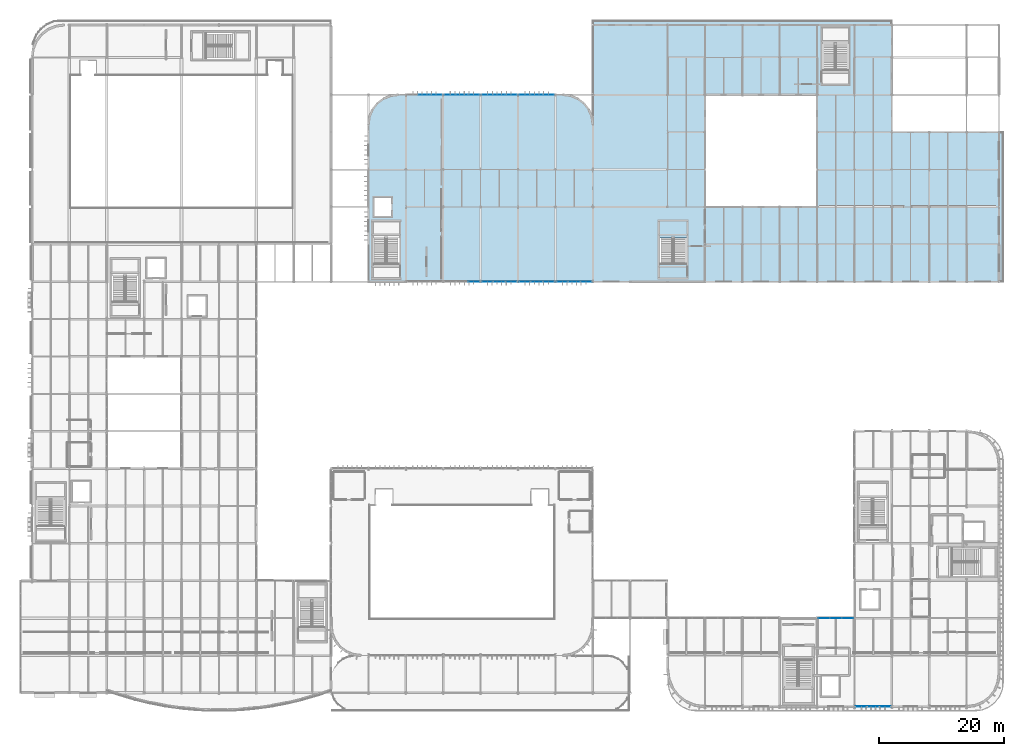
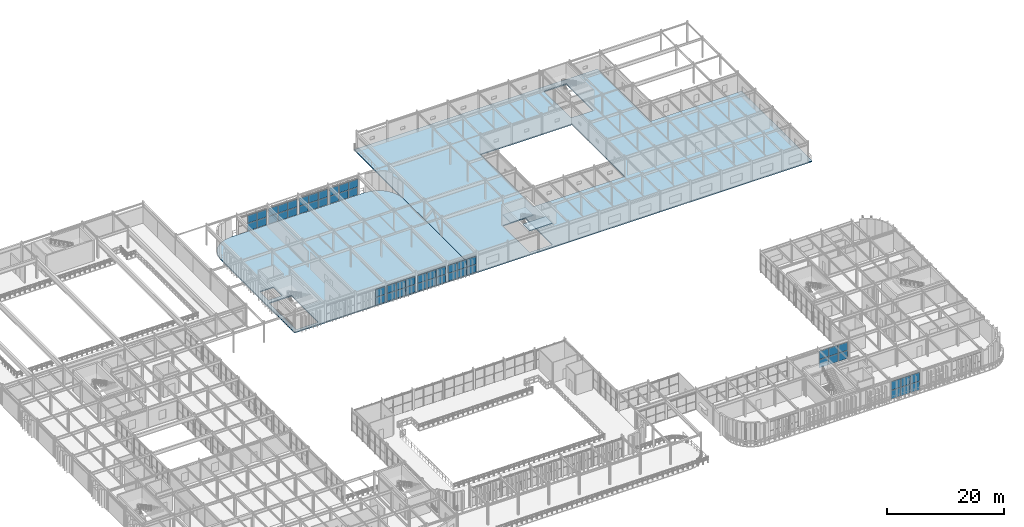
# One storey, part 60 of 96: 54 plates, 4 slabs, 11 elements without a shape of their own.
"""IFC4 building model written with IfcOpenShell, lengths in metres."""

from ifc_helpers import new_model, si_unit, direction, frame, origin, origin_2d, place, context, subcontext, project, spatial, polyline, rectangle, outline, extrude, material, layer, layer_set, type_object, element, aggregate, save


model = new_model("IFC4")

# Units and contexts
model_context = context("Model", 3, precision=1e-05, world=origin(), true_north=direction((0.0, 1.0)))
body_context = subcontext(model_context, "Body", "Model", "MODEL_VIEW")
ifc_project = project(units=[si_unit("LENGTHUNIT", "METRE"), si_unit("AREAUNIT", "SQUARE_METRE"), si_unit("VOLUMEUNIT", "CUBIC_METRE"), si_unit("PLANEANGLEUNIT", "RADIAN"), si_unit("MASSUNIT", "GRAM", prefix="KILO")], contexts=[model_context])

# Site, building, storey
site_placement = place(None, origin())
site = spatial("IfcSite", under=ifc_project, at=site_placement, CompositionType="ELEMENT")
building_placement = place(site_placement, origin())
building = spatial("IfcBuilding", under=site, at=building_placement, Name="Varnakota Square Police Headquarters", CompositionType="ELEMENT")
storey_placement = place(building_placement, frame((0.0, 0.0, 4.800048828125)))
storey = spatial("IfcBuildingStorey", under=building, at=storey_placement, Name="L01", CompositionType="ELEMENT", Elevation=4.800048828125)

# Curtain wall, plates
ifc_material_1 = material(Name="Anodised Aluminium Framing", Category="aluminium")
curtain_wall_type_1 = type_object("IfcCurtainWallType", Name="CW-SYS-B", PredefinedType="NOTDEFINED", material=ifc_material_1)
curtain_wall_1_placement = place(storey_placement, origin())
curtain_wall_1 = element("IfcCurtainWall", 1, at=curtain_wall_1_placement, inside=storey, type_object=curtain_wall_type_1, Name="Unitised curtain wall CWG-L01-231", PredefinedType="NOTDEFINED")
ifc_material_2 = material(Name="Solar-Control Laminated Double Glazing", Category="glass")
ifc_layer_1 = layer(ifc_material_2, 0.028076171875, Name="Solar-Control Laminated Double Glazing")
ifc_layer_set_1 = layer_set([ifc_layer_1], Name="Solar-Control Laminated Double Glazing")
plate_type_1 = type_object("IfcPlateType", Name="CWP-GLZ-28", PredefinedType="CURTAIN_PANEL", material=ifc_layer_set_1)
plate_1_placement = place(storey_placement, frame((91.123779296875, 69.0, 0.06494140625), z_axis=(0.0, 0.0, 1.0), x_axis=(1.0, 0.0, 0.0)))
plate_1 = element("IfcPlate", 2, at=plate_1_placement, type_object=plate_type_1, Name="CWG-L01-231 panel 1.1", PredefinedType="CURTAIN_PANEL", context=body_context, shape_type="SweptSolid", body=[
    extrude(rectangle(XDim=1.8076171875, YDim=0.028076171875, at=origin_2d()), origin(), (0.0, 0.0, 1.0), 1.597412109375),
])
plate_2_placement = place(storey_placement, frame((93.012451171875, 69.0, 0.06494140625), z_axis=(0.0, 0.0, 1.0), x_axis=(1.0, 0.0, 0.0)))
plate_2 = element("IfcPlate", 3, at=plate_2_placement, type_object=plate_type_1, Name="CWG-L01-231 panel 2.1", PredefinedType="CURTAIN_PANEL", context=body_context, shape_type="SweptSolid", body=[
    extrude(rectangle(XDim=1.840087890625, YDim=0.028076171875, at=origin_2d()), origin(), (0.0, 0.0, 1.0), 1.597412109375),
])
plate_3_placement = place(storey_placement, frame((94.9013671875, 69.0, 0.06494140625), z_axis=(0.0, 0.0, 1.0), x_axis=(1.0, 0.0, 0.0)))
plate_3 = element("IfcPlate", 4, at=plate_3_placement, type_object=plate_type_1, Name="CWG-L01-231 panel 3.1", PredefinedType="CURTAIN_PANEL", context=body_context, shape_type="SweptSolid", body=[
    extrude(rectangle(XDim=1.8076171875, YDim=0.028076171875, at=origin_2d()), origin(), (0.0, 0.0, 1.0), 1.597412109375),
])

curtain_wall_type_2 = type_object("IfcCurtainWallType", Name="CW-SYS-C", PredefinedType="NOTDEFINED", material=ifc_material_1)
curtain_wall_2_placement = place(storey_placement, origin())
curtain_wall_2 = element("IfcCurtainWall", 5, at=curtain_wall_2_placement, inside=storey, type_object=curtain_wall_type_2, Name="Unitised curtain wall CWG-L01-235", PredefinedType="NOTDEFINED")
plate_4_placement = place(storey_placement, frame((85.0986328125, 99.0, 0.06494140625), z_axis=(0.0, 0.0, 1.0), x_axis=(1.0, 0.0, 0.0)))
plate_4 = element("IfcPlate", 6, at=plate_4_placement, type_object=plate_type_1, Name="CWG-L01-235 panel 1.1", PredefinedType="CURTAIN_PANEL", context=body_context, shape_type="SweptSolid", body=[
    extrude(rectangle(XDim=1.8076171875, YDim=0.028076171875, at=origin_2d()), origin(), (0.0, 0.0, 1.0), 1.597412109375),
])
plate_5_placement = place(storey_placement, frame((86.987548828125, 99.0, 0.06494140625), z_axis=(0.0, 0.0, 1.0), x_axis=(1.0, 0.0, 0.0)))
plate_5 = element("IfcPlate", 7, at=plate_5_placement, type_object=plate_type_1, Name="CWG-L01-235 panel 2.1", PredefinedType="CURTAIN_PANEL", context=body_context, shape_type="SweptSolid", body=[
    extrude(rectangle(XDim=1.840087890625, YDim=0.028076171875, at=origin_2d()), origin(), (0.0, 0.0, 1.0), 1.597412109375),
])
plate_6_placement = place(storey_placement, frame((88.876220703125, 99.0, 0.06494140625), z_axis=(0.0, 0.0, 1.0), x_axis=(1.0, 0.0, 0.0)))
plate_6 = element("IfcPlate", 8, at=plate_6_placement, type_object=plate_type_1, Name="CWG-L01-235 panel 3.1", PredefinedType="CURTAIN_PANEL", context=body_context, shape_type="SweptSolid", body=[
    extrude(rectangle(XDim=1.8076171875, YDim=0.028076171875, at=origin_2d()), origin(), (0.0, 0.0, 1.0), 1.597412109375),
])

curtain_wall_3_placement = place(storey_placement, origin())
curtain_wall_3 = element("IfcCurtainWall", 9, at=curtain_wall_3_placement, inside=storey, type_object=curtain_wall_type_1, Name="Unitised curtain wall CWG-L01-056", PredefinedType="NOTDEFINED")
ifc_material_3 = material(Name="Acoustic Laminated Double Glazing", Category="glass")
ifc_layer_2 = layer(ifc_material_3, 0.031982421875, Name="Acoustic Laminated Double Glazing")
ifc_layer_set_2 = layer_set([ifc_layer_2], Name="Acoustic Laminated Double Glazing")
plate_type_2 = type_object("IfcPlateType", Name="CWP-GLZ-32", PredefinedType="CURTAIN_PANEL", material=ifc_layer_set_2)
plate_7_placement = place(storey_placement, frame((139.10302734375, 0.800048828125, 0.06494140625), z_axis=(0.0, 0.0, 1.0), x_axis=(1.0, 0.0, 0.0)))
plate_7 = element("IfcPlate", 10, at=plate_7_placement, type_object=plate_type_2, Name="CWG-L01-056 panel 1.1", PredefinedType="CURTAIN_PANEL", context=body_context, shape_type="SweptSolid", body=[
    extrude(rectangle(XDim=1.81591796875, YDim=0.031982421875, at=origin_2d()), origin(), (0.0, 0.0, 1.0), 1.797607421875),
])
plate_8_placement = place(storey_placement, frame((141.0, 0.800048828125, 0.06494140625), z_axis=(0.0, 0.0, 1.0), x_axis=(1.0, 0.0, 0.0)))
plate_8 = element("IfcPlate", 11, at=plate_8_placement, type_object=plate_type_2, Name="CWG-L01-056 panel 2.1", PredefinedType="CURTAIN_PANEL", context=body_context, shape_type="SweptSolid", body=[
    extrude(rectangle(XDim=1.848388671875, YDim=0.031982421875, at=origin_2d()), origin(), (0.0, 0.0, 1.0), 1.797607421875),
])
plate_9_placement = place(storey_placement, frame((142.89697265625, 0.800048828125, 0.06494140625), z_axis=(0.0, 0.0, 1.0), x_axis=(1.0, 0.0, 0.0)))
plate_9 = element("IfcPlate", 12, at=plate_9_placement, type_object=plate_type_2, Name="CWG-L01-056 panel 3.1", PredefinedType="CURTAIN_PANEL", context=body_context, shape_type="SweptSolid", body=[
    extrude(rectangle(XDim=1.81591796875, YDim=0.031982421875, at=origin_2d()), origin(), (0.0, 0.0, 1.0), 1.797607421875),
])

# Curtain wall, plate
curtain_wall_4_placement = place(storey_placement, origin())
curtain_wall_4 = element("IfcCurtainWall", 13, at=curtain_wall_4_placement, inside=storey, type_object=curtain_wall_type_1, Name="Unitised curtain wall CWG-L01-228", PredefinedType="NOTDEFINED")
plate_10_placement = place(storey_placement, frame((76.9013671875, 69.0, 0.06494140625), z_axis=(0.0, 0.0, 1.0), x_axis=(1.0, 0.0, 0.0)))
plate_10 = element("IfcPlate", 14, at=plate_10_placement, type_object=plate_type_2, Name="CWG-L01-228 panel 3.1", PredefinedType="CURTAIN_PANEL", context=body_context, shape_type="SweptSolid", body=[
    extrude(rectangle(XDim=1.8076171875, YDim=0.031982421875, at=origin_2d()), origin(), (0.0, 0.0, 1.0), 1.597412109375),
])

# Curtain wall, plates
curtain_wall_5_placement = place(storey_placement, origin())
curtain_wall_5 = element("IfcCurtainWall", 15, at=curtain_wall_5_placement, inside=storey, type_object=curtain_wall_type_2, Name="Unitised curtain wall CWG-L01-232", PredefinedType="NOTDEFINED")
plate_11_placement = place(storey_placement, frame((68.987548828125, 99.0, 0.06494140625), z_axis=(0.0, 0.0, 1.0), x_axis=(1.0, 0.0, 0.0)))
plate_11 = element("IfcPlate", 16, at=plate_11_placement, type_object=plate_type_2, Name="CWG-L01-232 panel 2.1", PredefinedType="CURTAIN_PANEL", context=body_context, shape_type="SweptSolid", body=[
    extrude(rectangle(XDim=1.840087890625, YDim=0.031982421875, at=origin_2d()), origin(), (0.0, 0.0, 1.0), 1.597412109375),
])
plate_12_placement = place(storey_placement, frame((70.876220703125, 99.0, 0.06494140625), z_axis=(0.0, 0.0, 1.0), x_axis=(1.0, 0.0, 0.0)))
plate_12 = element("IfcPlate", 17, at=plate_12_placement, type_object=plate_type_2, Name="CWG-L01-232 panel 3.1", PredefinedType="CURTAIN_PANEL", context=body_context, shape_type="SweptSolid", body=[
    extrude(rectangle(XDim=1.8076171875, YDim=0.031982421875, at=origin_2d()), origin(), (0.0, 0.0, 1.0), 1.597412109375),
])

curtain_wall_type_3 = type_object("IfcCurtainWallType", Name="CW-SYS-D", PredefinedType="NOTDEFINED", material=ifc_material_1)
curtain_wall_6_placement = place(storey_placement, origin())
curtain_wall_6 = element("IfcCurtainWall", 18, at=curtain_wall_6_placement, inside=storey, type_object=curtain_wall_type_3, Name="Unitised curtain wall CWG-L01-061", PredefinedType="NOTDEFINED")
ifc_material_4 = material(Name="Blast-Resistant Laminated Glazing", Category="glass")
ifc_layer_3 = layer(ifc_material_4, 0.035888671875, Name="Blast-Resistant Laminated Glazing")
ifc_layer_set_3 = layer_set([ifc_layer_3], Name="Blast-Resistant Laminated Glazing")
plate_type_3 = type_object("IfcPlateType", Name="CWP-GLZ-36", PredefinedType="CURTAIN_PANEL", material=ifc_layer_set_3)
plate_13_placement = place(storey_placement, frame((133.10302734375, 15.0, 0.06494140625), z_axis=(0.0, 0.0, 1.0), x_axis=(1.0, 0.0, 0.0)))
plate_13 = element("IfcPlate", 19, at=plate_13_placement, type_object=plate_type_3, Name="CWG-L01-061 panel 1.1", PredefinedType="CURTAIN_PANEL", context=body_context, shape_type="SweptSolid", body=[
    extrude(rectangle(XDim=1.81591796875, YDim=0.035888671875, at=origin_2d()), origin(), (0.0, 0.0, 1.0), 1.697509765625),
])
plate_14_placement = place(storey_placement, frame((135.0, 15.0, 0.06494140625), z_axis=(0.0, 0.0, 1.0), x_axis=(1.0, 0.0, 0.0)))
plate_14 = element("IfcPlate", 20, at=plate_14_placement, type_object=plate_type_3, Name="CWG-L01-061 panel 2.1", PredefinedType="CURTAIN_PANEL", context=body_context, shape_type="SweptSolid", body=[
    extrude(rectangle(XDim=1.848388671875, YDim=0.035888671875, at=origin_2d()), origin(), (0.0, 0.0, 1.0), 1.697509765625),
])
plate_15_placement = place(storey_placement, frame((136.89697265625, 15.0, 0.06494140625), z_axis=(0.0, 0.0, 1.0), x_axis=(1.0, 0.0, 0.0)))
plate_15 = element("IfcPlate", 21, at=plate_15_placement, type_object=plate_type_3, Name="CWG-L01-061 panel 3.1", PredefinedType="CURTAIN_PANEL", context=body_context, shape_type="SweptSolid", body=[
    extrude(rectangle(XDim=1.81591796875, YDim=0.035888671875, at=origin_2d()), origin(), (0.0, 0.0, 1.0), 1.697509765625),
])

curtain_wall_7_placement = place(storey_placement, origin())
curtain_wall_7 = element("IfcCurtainWall", 22, at=curtain_wall_7_placement, inside=storey, type_object=curtain_wall_type_1, Name="Unitised curtain wall CWG-L01-229", PredefinedType="NOTDEFINED")
plate_16_placement = place(storey_placement, frame((79.0986328125, 69.0, 0.06494140625), z_axis=(0.0, 0.0, 1.0), x_axis=(1.0, 0.0, 0.0)))
plate_16 = element("IfcPlate", 23, at=plate_16_placement, type_object=plate_type_3, Name="CWG-L01-229 panel 1.1", PredefinedType="CURTAIN_PANEL", context=body_context, shape_type="SweptSolid", body=[
    extrude(rectangle(XDim=1.8076171875, YDim=0.035888671875, at=origin_2d()), origin(), (0.0, 0.0, 1.0), 1.597412109375),
])
plate_17_placement = place(storey_placement, frame((80.987548828125, 69.0, 0.06494140625), z_axis=(0.0, 0.0, 1.0), x_axis=(1.0, 0.0, 0.0)))
plate_17 = element("IfcPlate", 24, at=plate_17_placement, type_object=plate_type_3, Name="CWG-L01-229 panel 2.1", PredefinedType="CURTAIN_PANEL", context=body_context, shape_type="SweptSolid", body=[
    extrude(rectangle(XDim=1.840087890625, YDim=0.035888671875, at=origin_2d()), origin(), (0.0, 0.0, 1.0), 1.597412109375),
])
plate_18_placement = place(storey_placement, frame((82.876220703125, 69.0, 0.06494140625), z_axis=(0.0, 0.0, 1.0), x_axis=(1.0, 0.0, 0.0)))
plate_18 = element("IfcPlate", 25, at=plate_18_placement, type_object=plate_type_3, Name="CWG-L01-229 panel 3.1", PredefinedType="CURTAIN_PANEL", context=body_context, shape_type="SweptSolid", body=[
    extrude(rectangle(XDim=1.8076171875, YDim=0.035888671875, at=origin_2d()), origin(), (0.0, 0.0, 1.0), 1.597412109375),
])

curtain_wall_8_placement = place(storey_placement, origin())
curtain_wall_8 = element("IfcCurtainWall", 26, at=curtain_wall_8_placement, inside=storey, type_object=curtain_wall_type_2, Name="Unitised curtain wall CWG-L01-233", PredefinedType="NOTDEFINED")
plate_19_placement = place(storey_placement, frame((73.11962890625, 99.0, 0.06494140625), z_axis=(0.0, 0.0, 1.0), x_axis=(1.0, 0.0, 0.0)))
plate_19 = element("IfcPlate", 27, at=plate_19_placement, type_object=plate_type_3, Name="CWG-L01-233 panel 1.1", PredefinedType="CURTAIN_PANEL", context=body_context, shape_type="SweptSolid", body=[
    extrude(rectangle(XDim=1.799072265625, YDim=0.035888671875, at=origin_2d()), origin(), (0.0, 0.0, 1.0), 1.597412109375),
])
plate_20_placement = place(storey_placement, frame((75.0, 99.0, 0.06494140625), z_axis=(0.0, 0.0, 1.0), x_axis=(1.0, 0.0, 0.0)))
plate_20 = element("IfcPlate", 28, at=plate_20_placement, type_object=plate_type_3, Name="CWG-L01-233 panel 2.1", PredefinedType="CURTAIN_PANEL", context=body_context, shape_type="SweptSolid", body=[
    extrude(rectangle(XDim=1.831787109375, YDim=0.035888671875, at=origin_2d()), origin(), (0.0, 0.0, 1.0), 1.597412109375),
])
plate_21_placement = place(storey_placement, frame((76.88037109375, 99.0, 0.06494140625), z_axis=(0.0, 0.0, 1.0), x_axis=(1.0, 0.0, 0.0)))
plate_21 = element("IfcPlate", 29, at=plate_21_placement, type_object=plate_type_3, Name="CWG-L01-233 panel 3.1", PredefinedType="CURTAIN_PANEL", context=body_context, shape_type="SweptSolid", body=[
    extrude(rectangle(XDim=1.799072265625, YDim=0.035888671875, at=origin_2d()), origin(), (0.0, 0.0, 1.0), 1.597412109375),
])

curtain_wall_9_placement = place(storey_placement, origin())
curtain_wall_9 = element("IfcCurtainWall", 30, at=curtain_wall_9_placement, inside=storey, type_object=curtain_wall_type_1, Name="Unitised curtain wall CWG-L01-230", PredefinedType="NOTDEFINED")
ifc_material_5 = material(Name="Triple-Glazed Clean-Lab Vision Unit", Category="aluminium")
ifc_layer_4 = layer(ifc_material_5, 0.0419921875, Name="Triple-Glazed Clean-Lab Vision Unit")
ifc_layer_set_4 = layer_set([ifc_layer_4], Name="Triple-Glazed Clean-Lab Vision Unit")
plate_type_4 = type_object("IfcPlateType", Name="CWP-GLZ-42", PredefinedType="CURTAIN_PANEL", material=ifc_layer_set_4)
plate_22_placement = place(storey_placement, frame((85.11962890625, 69.0, 0.06494140625), z_axis=(0.0, 0.0, 1.0), x_axis=(1.0, 0.0, 0.0)))
plate_22 = element("IfcPlate", 31, at=plate_22_placement, type_object=plate_type_4, Name="CWG-L01-230 panel 1.1", PredefinedType="CURTAIN_PANEL", context=body_context, shape_type="SweptSolid", body=[
    extrude(rectangle(XDim=1.799072265625, YDim=0.0419921875, at=origin_2d()), origin(), (0.0, 0.0, 1.0), 1.597412109375),
])
plate_23_placement = place(storey_placement, frame((87.0, 69.0, 0.06494140625), z_axis=(0.0, 0.0, 1.0), x_axis=(1.0, 0.0, 0.0)))
plate_23 = element("IfcPlate", 32, at=plate_23_placement, type_object=plate_type_4, Name="CWG-L01-230 panel 2.1", PredefinedType="CURTAIN_PANEL", context=body_context, shape_type="SweptSolid", body=[
    extrude(rectangle(XDim=1.831787109375, YDim=0.0419921875, at=origin_2d()), origin(), (0.0, 0.0, 1.0), 1.597412109375),
])
plate_24_placement = place(storey_placement, frame((88.88037109375, 69.0, 0.06494140625), z_axis=(0.0, 0.0, 1.0), x_axis=(1.0, 0.0, 0.0)))
plate_24 = element("IfcPlate", 33, at=plate_24_placement, type_object=plate_type_4, Name="CWG-L01-230 panel 3.1", PredefinedType="CURTAIN_PANEL", context=body_context, shape_type="SweptSolid", body=[
    extrude(rectangle(XDim=1.799072265625, YDim=0.0419921875, at=origin_2d()), origin(), (0.0, 0.0, 1.0), 1.597412109375),
])

curtain_wall_10_placement = place(storey_placement, origin())
curtain_wall_10 = element("IfcCurtainWall", 34, at=curtain_wall_10_placement, inside=storey, type_object=curtain_wall_type_2, Name="Unitised curtain wall CWG-L01-234", PredefinedType="NOTDEFINED")
plate_25_placement = place(storey_placement, frame((79.123779296875, 99.0, 0.06494140625), z_axis=(0.0, 0.0, 1.0), x_axis=(1.0, 0.0, 0.0)))
plate_25 = element("IfcPlate", 35, at=plate_25_placement, type_object=plate_type_4, Name="CWG-L01-234 panel 1.1", PredefinedType="CURTAIN_PANEL", context=body_context, shape_type="SweptSolid", body=[
    extrude(rectangle(XDim=1.8076171875, YDim=0.0419921875, at=origin_2d()), origin(), (0.0, 0.0, 1.0), 1.597412109375),
])
plate_26_placement = place(storey_placement, frame((81.012451171875, 99.0, 0.06494140625), z_axis=(0.0, 0.0, 1.0), x_axis=(1.0, 0.0, 0.0)))
plate_26 = element("IfcPlate", 36, at=plate_26_placement, type_object=plate_type_4, Name="CWG-L01-234 panel 2.1", PredefinedType="CURTAIN_PANEL", context=body_context, shape_type="SweptSolid", body=[
    extrude(rectangle(XDim=1.840087890625, YDim=0.0419921875, at=origin_2d()), origin(), (0.0, 0.0, 1.0), 1.597412109375),
])
plate_27_placement = place(storey_placement, frame((82.9013671875, 99.0, 0.06494140625), z_axis=(0.0, 0.0, 1.0), x_axis=(1.0, 0.0, 0.0)))
plate_27 = element("IfcPlate", 37, at=plate_27_placement, type_object=plate_type_4, Name="CWG-L01-234 panel 3.1", PredefinedType="CURTAIN_PANEL", context=body_context, shape_type="SweptSolid", body=[
    extrude(rectangle(XDim=1.8076171875, YDim=0.0419921875, at=origin_2d()), origin(), (0.0, 0.0, 1.0), 1.597412109375),
])

# Plate
ifc_material_6 = material(Name="Insulated Anodised Aluminium Spandrel Panel", Category="aluminium")
ifc_layer_5 = layer(ifc_material_6, 0.050048828125, Name="Insulated Anodised Aluminium Spandrel Panel")
ifc_layer_set_5 = layer_set([ifc_layer_5], Name="Insulated Anodised Aluminium Spandrel Panel")
plate_type_5 = type_object("IfcPlateType", Name="CWP-SPN-50", PredefinedType="CURTAIN_PANEL", material=ifc_layer_set_5)
plate_28_placement = place(storey_placement, frame((133.10302734375, 15.0, 1.82763671875), z_axis=(0.0, 0.0, 1.0), x_axis=(1.0, 0.0, 0.0)))
plate_28 = element("IfcPlate", 38, at=plate_28_placement, type_object=plate_type_5, Name="CWG-L01-061 panel 1.2", PredefinedType="CURTAIN_PANEL", context=body_context, shape_type="SweptSolid", body=[
    extrude(rectangle(XDim=1.81591796875, YDim=0.050048828125, at=origin_2d()), origin(), (0.0, 0.0, 1.0), 1.697509765625),
])

plate_29_placement = place(storey_placement, frame((135.0, 15.0, 1.82763671875), z_axis=(0.0, 0.0, 1.0), x_axis=(1.0, 0.0, 0.0)))
plate_29 = element("IfcPlate", 39, at=plate_29_placement, type_object=plate_type_5, Name="CWG-L01-061 panel 2.2", PredefinedType="CURTAIN_PANEL", context=body_context, shape_type="SweptSolid", body=[
    extrude(rectangle(XDim=1.848388671875, YDim=0.050048828125, at=origin_2d()), origin(), (0.0, 0.0, 1.0), 1.697509765625),
])

plate_30_placement = place(storey_placement, frame((136.89697265625, 15.0, 1.82763671875), z_axis=(0.0, 0.0, 1.0), x_axis=(1.0, 0.0, 0.0)))
plate_30 = element("IfcPlate", 40, at=plate_30_placement, type_object=plate_type_5, Name="CWG-L01-061 panel 3.2", PredefinedType="CURTAIN_PANEL", context=body_context, shape_type="SweptSolid", body=[
    extrude(rectangle(XDim=1.81591796875, YDim=0.050048828125, at=origin_2d()), origin(), (0.0, 0.0, 1.0), 1.697509765625),
])

aggregate(curtain_wall_6, [plate_13, plate_28, plate_14, plate_29, plate_15, plate_30])

plate_31_placement = place(storey_placement, frame((79.0986328125, 69.0, 1.7275390625), z_axis=(0.0, 0.0, 1.0), x_axis=(1.0, 0.0, 0.0)))
plate_31 = element("IfcPlate", 41, at=plate_31_placement, type_object=plate_type_5, Name="CWG-L01-229 panel 1.2", PredefinedType="CURTAIN_PANEL", context=body_context, shape_type="SweptSolid", body=[
    extrude(rectangle(XDim=1.8076171875, YDim=0.050048828125, at=origin_2d()), origin(), (0.0, 0.0, 1.0), 1.597412109375),
])

plate_32_placement = place(storey_placement, frame((80.987548828125, 69.0, 1.7275390625), z_axis=(0.0, 0.0, 1.0), x_axis=(1.0, 0.0, 0.0)))
plate_32 = element("IfcPlate", 42, at=plate_32_placement, type_object=plate_type_5, Name="CWG-L01-229 panel 2.2", PredefinedType="CURTAIN_PANEL", context=body_context, shape_type="SweptSolid", body=[
    extrude(rectangle(XDim=1.840087890625, YDim=0.050048828125, at=origin_2d()), origin(), (0.0, 0.0, 1.0), 1.597412109375),
])

plate_33_placement = place(storey_placement, frame((82.876220703125, 69.0, 1.7275390625), z_axis=(0.0, 0.0, 1.0), x_axis=(1.0, 0.0, 0.0)))
plate_33 = element("IfcPlate", 43, at=plate_33_placement, type_object=plate_type_5, Name="CWG-L01-229 panel 3.2", PredefinedType="CURTAIN_PANEL", context=body_context, shape_type="SweptSolid", body=[
    extrude(rectangle(XDim=1.8076171875, YDim=0.050048828125, at=origin_2d()), origin(), (0.0, 0.0, 1.0), 1.597412109375),
])

aggregate(curtain_wall_7, [plate_16, plate_31, plate_17, plate_32, plate_18, plate_33])

plate_34_placement = place(storey_placement, frame((91.123779296875, 69.0, 1.7275390625), z_axis=(0.0, 0.0, 1.0), x_axis=(1.0, 0.0, 0.0)))
plate_34 = element("IfcPlate", 44, at=plate_34_placement, type_object=plate_type_5, Name="CWG-L01-231 panel 1.2", PredefinedType="CURTAIN_PANEL", context=body_context, shape_type="SweptSolid", body=[
    extrude(rectangle(XDim=1.8076171875, YDim=0.050048828125, at=origin_2d()), origin(), (0.0, 0.0, 1.0), 1.597412109375),
])

plate_35_placement = place(storey_placement, frame((93.012451171875, 69.0, 1.7275390625), z_axis=(0.0, 0.0, 1.0), x_axis=(1.0, 0.0, 0.0)))
plate_35 = element("IfcPlate", 45, at=plate_35_placement, type_object=plate_type_5, Name="CWG-L01-231 panel 2.2", PredefinedType="CURTAIN_PANEL", context=body_context, shape_type="SweptSolid", body=[
    extrude(rectangle(XDim=1.840087890625, YDim=0.050048828125, at=origin_2d()), origin(), (0.0, 0.0, 1.0), 1.597412109375),
])

plate_36_placement = place(storey_placement, frame((94.9013671875, 69.0, 1.7275390625), z_axis=(0.0, 0.0, 1.0), x_axis=(1.0, 0.0, 0.0)))
plate_36 = element("IfcPlate", 46, at=plate_36_placement, type_object=plate_type_5, Name="CWG-L01-231 panel 3.2", PredefinedType="CURTAIN_PANEL", context=body_context, shape_type="SweptSolid", body=[
    extrude(rectangle(XDim=1.8076171875, YDim=0.050048828125, at=origin_2d()), origin(), (0.0, 0.0, 1.0), 1.597412109375),
])

aggregate(curtain_wall_1, [plate_1, plate_34, plate_2, plate_35, plate_3, plate_36])

plate_37_placement = place(storey_placement, frame((73.11962890625, 99.0, 1.7275390625), z_axis=(0.0, 0.0, 1.0), x_axis=(1.0, 0.0, 0.0)))
plate_37 = element("IfcPlate", 47, at=plate_37_placement, type_object=plate_type_5, Name="CWG-L01-233 panel 1.2", PredefinedType="CURTAIN_PANEL", context=body_context, shape_type="SweptSolid", body=[
    extrude(rectangle(XDim=1.799072265625, YDim=0.050048828125, at=origin_2d()), origin(), (0.0, 0.0, 1.0), 1.597412109375),
])

plate_38_placement = place(storey_placement, frame((75.0, 99.0, 1.7275390625), z_axis=(0.0, 0.0, 1.0), x_axis=(1.0, 0.0, 0.0)))
plate_38 = element("IfcPlate", 48, at=plate_38_placement, type_object=plate_type_5, Name="CWG-L01-233 panel 2.2", PredefinedType="CURTAIN_PANEL", context=body_context, shape_type="SweptSolid", body=[
    extrude(rectangle(XDim=1.831787109375, YDim=0.050048828125, at=origin_2d()), origin(), (0.0, 0.0, 1.0), 1.597412109375),
])

plate_39_placement = place(storey_placement, frame((76.88037109375, 99.0, 1.7275390625), z_axis=(0.0, 0.0, 1.0), x_axis=(1.0, 0.0, 0.0)))
plate_39 = element("IfcPlate", 49, at=plate_39_placement, type_object=plate_type_5, Name="CWG-L01-233 panel 3.2", PredefinedType="CURTAIN_PANEL", context=body_context, shape_type="SweptSolid", body=[
    extrude(rectangle(XDim=1.799072265625, YDim=0.050048828125, at=origin_2d()), origin(), (0.0, 0.0, 1.0), 1.597412109375),
])

aggregate(curtain_wall_8, [plate_19, plate_37, plate_20, plate_38, plate_21, plate_39])

plate_40_placement = place(storey_placement, frame((85.0986328125, 99.0, 1.7275390625), z_axis=(0.0, 0.0, 1.0), x_axis=(1.0, 0.0, 0.0)))
plate_40 = element("IfcPlate", 50, at=plate_40_placement, type_object=plate_type_5, Name="CWG-L01-235 panel 1.2", PredefinedType="CURTAIN_PANEL", context=body_context, shape_type="SweptSolid", body=[
    extrude(rectangle(XDim=1.8076171875, YDim=0.050048828125, at=origin_2d()), origin(), (0.0, 0.0, 1.0), 1.597412109375),
])

plate_41_placement = place(storey_placement, frame((86.987548828125, 99.0, 1.7275390625), z_axis=(0.0, 0.0, 1.0), x_axis=(1.0, 0.0, 0.0)))
plate_41 = element("IfcPlate", 51, at=plate_41_placement, type_object=plate_type_5, Name="CWG-L01-235 panel 2.2", PredefinedType="CURTAIN_PANEL", context=body_context, shape_type="SweptSolid", body=[
    extrude(rectangle(XDim=1.840087890625, YDim=0.050048828125, at=origin_2d()), origin(), (0.0, 0.0, 1.0), 1.597412109375),
])

plate_42_placement = place(storey_placement, frame((88.876220703125, 99.0, 1.7275390625), z_axis=(0.0, 0.0, 1.0), x_axis=(1.0, 0.0, 0.0)))
plate_42 = element("IfcPlate", 52, at=plate_42_placement, type_object=plate_type_5, Name="CWG-L01-235 panel 3.2", PredefinedType="CURTAIN_PANEL", context=body_context, shape_type="SweptSolid", body=[
    extrude(rectangle(XDim=1.8076171875, YDim=0.050048828125, at=origin_2d()), origin(), (0.0, 0.0, 1.0), 1.597412109375),
])

aggregate(curtain_wall_2, [plate_4, plate_40, plate_5, plate_41, plate_6, plate_42])

ifc_material_7 = material(Name="Fire-Stopped Mineral-Wool Spandrel Panel", Category="aluminium")
ifc_layer_6 = layer(ifc_material_7, 0.06005859375, Name="Fire-Stopped Mineral-Wool Spandrel Panel")
ifc_layer_set_6 = layer_set([ifc_layer_6], Name="Fire-Stopped Mineral-Wool Spandrel Panel")
plate_type_6 = type_object("IfcPlateType", Name="CWP-SPN-60", PredefinedType="CURTAIN_PANEL", material=ifc_layer_set_6)
plate_43_placement = place(storey_placement, frame((139.10302734375, 0.800048828125, 1.92724609375), z_axis=(0.0, 0.0, 1.0), x_axis=(1.0, 0.0, 0.0)))
plate_43 = element("IfcPlate", 53, at=plate_43_placement, type_object=plate_type_6, Name="CWG-L01-056 panel 1.2", PredefinedType="CURTAIN_PANEL", context=body_context, shape_type="SweptSolid", body=[
    extrude(rectangle(XDim=1.81591796875, YDim=0.06005859375, at=origin_2d()), origin(), (0.0, 0.0, 1.0), 1.797607421875),
])

plate_44_placement = place(storey_placement, frame((141.0, 0.800048828125, 1.92724609375), z_axis=(0.0, 0.0, 1.0), x_axis=(1.0, 0.0, 0.0)))
plate_44 = element("IfcPlate", 54, at=plate_44_placement, type_object=plate_type_6, Name="CWG-L01-056 panel 2.2", PredefinedType="CURTAIN_PANEL", context=body_context, shape_type="SweptSolid", body=[
    extrude(rectangle(XDim=1.848388671875, YDim=0.06005859375, at=origin_2d()), origin(), (0.0, 0.0, 1.0), 1.797607421875),
])

plate_45_placement = place(storey_placement, frame((142.89697265625, 0.800048828125, 1.92724609375), z_axis=(0.0, 0.0, 1.0), x_axis=(1.0, 0.0, 0.0)))
plate_45 = element("IfcPlate", 55, at=plate_45_placement, type_object=plate_type_6, Name="CWG-L01-056 panel 3.2", PredefinedType="CURTAIN_PANEL", context=body_context, shape_type="SweptSolid", body=[
    extrude(rectangle(XDim=1.81591796875, YDim=0.06005859375, at=origin_2d()), origin(), (0.0, 0.0, 1.0), 1.797607421875),
])

aggregate(curtain_wall_3, [plate_7, plate_43, plate_8, plate_44, plate_9, plate_45])

plate_46_placement = place(storey_placement, frame((76.9013671875, 69.0, 1.7275390625), z_axis=(0.0, 0.0, 1.0), x_axis=(1.0, 0.0, 0.0)))
plate_46 = element("IfcPlate", 56, at=plate_46_placement, type_object=plate_type_6, Name="CWG-L01-228 panel 3.2", PredefinedType="CURTAIN_PANEL", context=body_context, shape_type="SweptSolid", body=[
    extrude(rectangle(XDim=1.8076171875, YDim=0.06005859375, at=origin_2d()), origin(), (0.0, 0.0, 1.0), 1.597412109375),
])

aggregate(curtain_wall_4, [plate_10, plate_46])

plate_47_placement = place(storey_placement, frame((85.11962890625, 69.0, 1.7275390625), z_axis=(0.0, 0.0, 1.0), x_axis=(1.0, 0.0, 0.0)))
plate_47 = element("IfcPlate", 57, at=plate_47_placement, type_object=plate_type_6, Name="CWG-L01-230 panel 1.2", PredefinedType="CURTAIN_PANEL", context=body_context, shape_type="SweptSolid", body=[
    extrude(rectangle(XDim=1.799072265625, YDim=0.06005859375, at=origin_2d()), origin(), (0.0, 0.0, 1.0), 1.597412109375),
])

plate_48_placement = place(storey_placement, frame((87.0, 69.0, 1.7275390625), z_axis=(0.0, 0.0, 1.0), x_axis=(1.0, 0.0, 0.0)))
plate_48 = element("IfcPlate", 58, at=plate_48_placement, type_object=plate_type_6, Name="CWG-L01-230 panel 2.2", PredefinedType="CURTAIN_PANEL", context=body_context, shape_type="SweptSolid", body=[
    extrude(rectangle(XDim=1.831787109375, YDim=0.06005859375, at=origin_2d()), origin(), (0.0, 0.0, 1.0), 1.597412109375),
])

plate_49_placement = place(storey_placement, frame((88.88037109375, 69.0, 1.7275390625), z_axis=(0.0, 0.0, 1.0), x_axis=(1.0, 0.0, 0.0)))
plate_49 = element("IfcPlate", 59, at=plate_49_placement, type_object=plate_type_6, Name="CWG-L01-230 panel 3.2", PredefinedType="CURTAIN_PANEL", context=body_context, shape_type="SweptSolid", body=[
    extrude(rectangle(XDim=1.799072265625, YDim=0.06005859375, at=origin_2d()), origin(), (0.0, 0.0, 1.0), 1.597412109375),
])

aggregate(curtain_wall_9, [plate_22, plate_47, plate_23, plate_48, plate_24, plate_49])

plate_50_placement = place(storey_placement, frame((68.987548828125, 99.0, 1.7275390625), z_axis=(0.0, 0.0, 1.0), x_axis=(1.0, 0.0, 0.0)))
plate_50 = element("IfcPlate", 60, at=plate_50_placement, type_object=plate_type_6, Name="CWG-L01-232 panel 2.2", PredefinedType="CURTAIN_PANEL", context=body_context, shape_type="SweptSolid", body=[
    extrude(rectangle(XDim=1.840087890625, YDim=0.06005859375, at=origin_2d()), origin(), (0.0, 0.0, 1.0), 1.597412109375),
])

plate_51_placement = place(storey_placement, frame((70.876220703125, 99.0, 1.7275390625), z_axis=(0.0, 0.0, 1.0), x_axis=(1.0, 0.0, 0.0)))
plate_51 = element("IfcPlate", 61, at=plate_51_placement, type_object=plate_type_6, Name="CWG-L01-232 panel 3.2", PredefinedType="CURTAIN_PANEL", context=body_context, shape_type="SweptSolid", body=[
    extrude(rectangle(XDim=1.8076171875, YDim=0.06005859375, at=origin_2d()), origin(), (0.0, 0.0, 1.0), 1.597412109375),
])

aggregate(curtain_wall_5, [plate_11, plate_50, plate_12, plate_51])

plate_52_placement = place(storey_placement, frame((79.123779296875, 99.0, 1.7275390625), z_axis=(0.0, 0.0, 1.0), x_axis=(1.0, 0.0, 0.0)))
plate_52 = element("IfcPlate", 62, at=plate_52_placement, type_object=plate_type_6, Name="CWG-L01-234 panel 1.2", PredefinedType="CURTAIN_PANEL", context=body_context, shape_type="SweptSolid", body=[
    extrude(rectangle(XDim=1.8076171875, YDim=0.06005859375, at=origin_2d()), origin(), (0.0, 0.0, 1.0), 1.597412109375),
])

plate_53_placement = place(storey_placement, frame((81.012451171875, 99.0, 1.7275390625), z_axis=(0.0, 0.0, 1.0), x_axis=(1.0, 0.0, 0.0)))
plate_53 = element("IfcPlate", 63, at=plate_53_placement, type_object=plate_type_6, Name="CWG-L01-234 panel 2.2", PredefinedType="CURTAIN_PANEL", context=body_context, shape_type="SweptSolid", body=[
    extrude(rectangle(XDim=1.840087890625, YDim=0.06005859375, at=origin_2d()), origin(), (0.0, 0.0, 1.0), 1.597412109375),
])

plate_54_placement = place(storey_placement, frame((82.9013671875, 99.0, 1.7275390625), z_axis=(0.0, 0.0, 1.0), x_axis=(1.0, 0.0, 0.0)))
plate_54 = element("IfcPlate", 64, at=plate_54_placement, type_object=plate_type_6, Name="CWG-L01-234 panel 3.2", PredefinedType="CURTAIN_PANEL", context=body_context, shape_type="SweptSolid", body=[
    extrude(rectangle(XDim=1.8076171875, YDim=0.06005859375, at=origin_2d()), origin(), (0.0, 0.0, 1.0), 1.597412109375),
])

aggregate(curtain_wall_10, [plate_25, plate_52, plate_26, plate_53, plate_27, plate_54])

# Slabs
ifc_material_8 = material(Name="Concrete M40", Category="concrete")
ifc_layer_7 = layer(ifc_material_8, 0.219970703125, Name="Concrete M40")
ifc_layer_set_7 = layer_set([ifc_layer_7], Name="Concrete M40")
slab_type_1 = type_object("IfcSlabType", Name="SL-COMP-220", PredefinedType="FLOOR", material=ifc_layer_set_7)
slab_1_placement = place(storey_placement, frame((0.0, 0.0, -0.219970703125)))
element("IfcSlab", 65, at=slab_1_placement, inside=storey, type_object=slab_type_1, Name="L01 Incident Support Slab", PredefinedType="FLOOR", context=body_context, shape_type="SweptSolid", body=[
    extrude(outline(polyline([(60.0, 69.0), (96.0, 69.0), (96.0, 94.199951171875), (95.83642578125, 95.4423828125), (95.35693359375, 96.60009765625), (94.593994140625, 97.593994140625), (93.60009765625, 98.35693359375), (92.4423828125, 98.83642578125), (91.199951171875, 99.0), (64.800048828125, 99.0), (63.5576171875, 98.83642578125), (62.39990234375, 98.35693359375), (61.406005859375, 97.593994140625), (60.64306640625, 96.60009765625), (60.16357421875, 95.4423828125), (60.0, 94.199951171875), (60.0, 69.0)]), holes=[polyline([(60.655029296875, 69.554931640625), (65.044921875, 69.554931640625), (65.044921875, 78.7451171875), (60.655029296875, 78.7451171875), (60.655029296875, 69.554931640625)]), polyline([(60.9150390625, 79.514892578125), (63.68505859375, 79.514892578125), (63.68505859375, 82.485107421875), (60.9150390625, 82.485107421875), (60.9150390625, 79.514892578125)])]), origin(), (0.0, 0.0, 1.0), 0.219970703125),
])
slab_2_placement = place(storey_placement, frame((0.0, 0.0, -0.219970703125)))
element("IfcSlab", 66, at=slab_2_placement, inside=storey, type_object=slab_type_1, Name="L01 Custody Interview and Medical Slab", PredefinedType="FLOOR", context=body_context, shape_type="SweptSolid", body=[
    extrude(outline(polyline([(96.0, 69.0), (162.0, 69.0), (162.0, 93.0), (144.0, 93.0), (144.0, 111.0), (96.0, 111.0), (96.0, 69.0)]), holes=[polyline([(114.0, 81.0), (132.0, 81.0), (132.0, 99.0), (114.0, 99.0), (114.0, 81.0)]), polyline([(132.7548828125, 100.655029296875), (137.14501953125, 100.655029296875), (137.14501953125, 109.844970703125), (132.7548828125, 109.844970703125), (132.7548828125, 100.655029296875)]), polyline([(106.655029296875, 69.554931640625), (111.14501953125, 69.554931640625), (111.14501953125, 78.7451171875), (106.655029296875, 78.7451171875), (106.655029296875, 69.554931640625)])]), origin(), (0.0, 0.0, 1.0), 0.219970703125),
])

# Stair, slabs
stair_type = type_object("IfcStairType", Name="STR-DOG-1900", PredefinedType="USERDEFINED", material=ifc_material_8)
stair_placement = place(storey_placement, origin())
stair = element("IfcStair", 67, at=stair_placement, inside=storey, type_object=stair_type, Name="Protected exit stair ST9 (L01)", ObjectType="TWO_RETURN_STAIR", PredefinedType="USERDEFINED")
ifc_layer_8 = layer(ifc_material_8, 0.162109375, Name="Concrete M40")
ifc_layer_set_8 = layer_set([ifc_layer_8], Name="Concrete M40")
slab_type_2 = type_object("IfcSlabType", Name="SLB-LND-1900", PredefinedType="LANDING", material=ifc_layer_set_8)
slab_3_placement = place(storey_placement, frame((0.0, 0.0, 2.087890625)))
slab_3 = element("IfcSlab", 68, at=slab_3_placement, type_object=slab_type_2, Name="ST9-L01 landing 1", PredefinedType="LANDING", context=body_context, shape_type="SweptSolid", body=[
    extrude(outline(polyline([(106.659912109375, 76.05078125), (111.139892578125, 76.05078125), (111.139892578125, 78.739990234375), (106.659912109375, 78.739990234375), (106.659912109375, 76.05078125)])), origin(), (0.0, 0.0, 1.0), 0.162109375),
])
slab_4_placement = place(storey_placement, frame((0.0, 0.0, 4.337890625)))
slab_4 = element("IfcSlab", 69, at=slab_4_placement, type_object=slab_type_2, Name="ST9-L01 landing 2", PredefinedType="LANDING", context=body_context, shape_type="SweptSolid", body=[
    extrude(outline(polyline([(106.659912109375, 69.56005859375), (111.139892578125, 69.56005859375), (111.139892578125, 71.85009765625), (106.659912109375, 71.85009765625), (106.659912109375, 69.56005859375)])), origin(), (0.0, 0.0, 1.0), 0.162109375),
])
aggregate(stair, [slab_3, slab_4])

save(model, "model.ifc")
